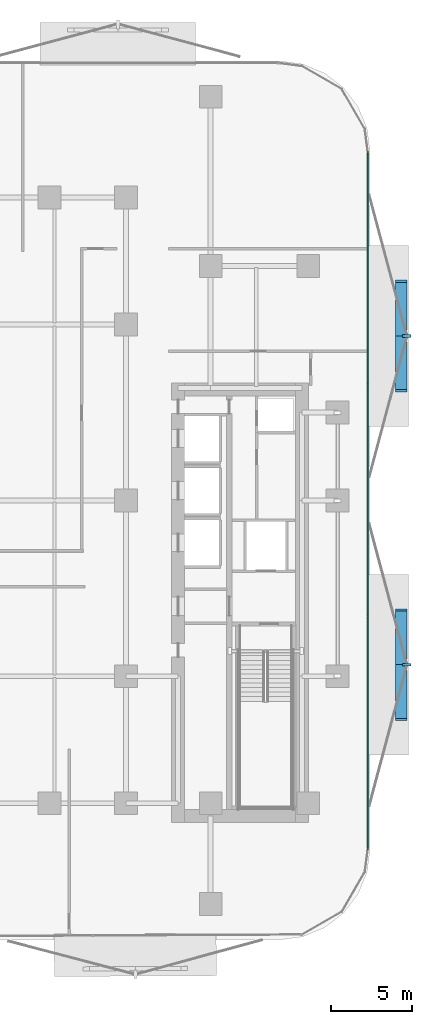
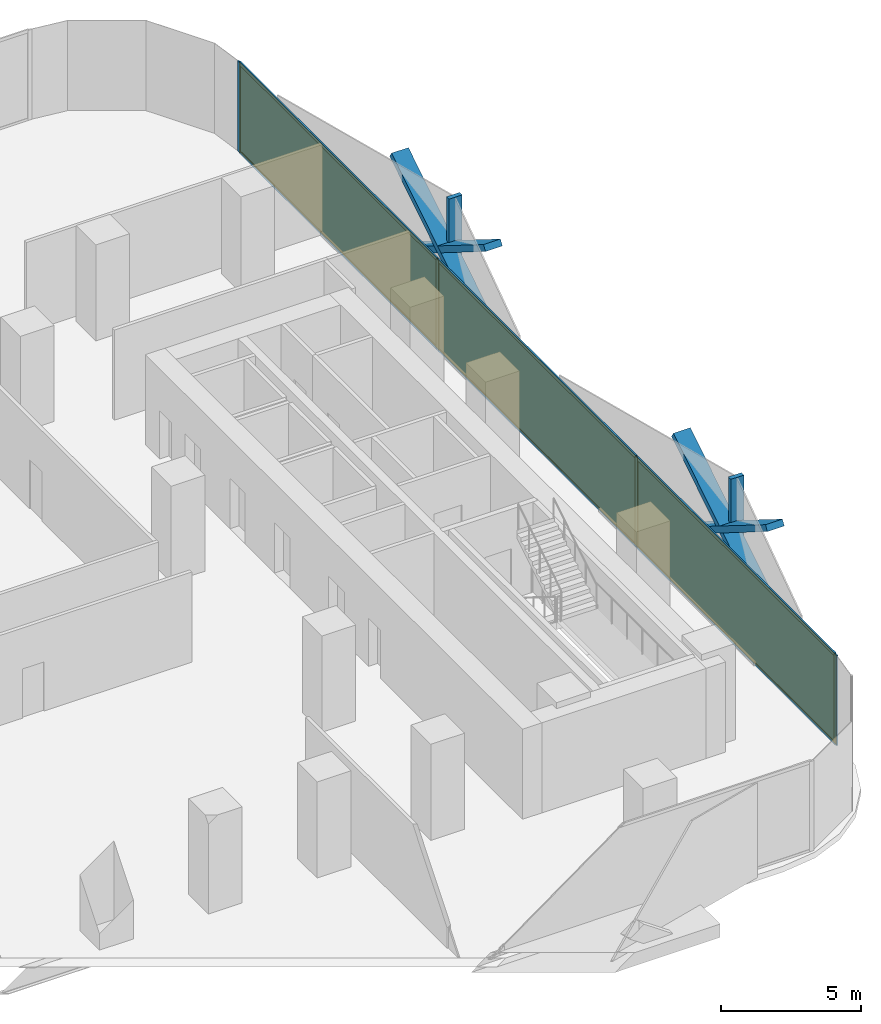
# One storey, part 9 of 15: 16 members, 3 plates, 1 curtain wall.
"""IFC4 building model written with IfcOpenShell, lengths in metres."""

from ifc_helpers import new_model, si_unit, direction, frame, frame_2d, origin, origin_2d, place, context, subcontext, project, spatial, rectangle, extrude, material, layer, layer_set, material_profile, profile_set, type_object, element, aggregate, save


model = new_model("IFC4")

# Units and contexts
model_context = context("Model", 3, precision=1e-05, world=origin(), true_north=direction((0.0, 1.0)))
body_context = subcontext(model_context, "Body", "Model", "MODEL_VIEW")
ifc_project = project(units=[si_unit("LENGTHUNIT", "METRE"), si_unit("AREAUNIT", "SQUARE_METRE"), si_unit("VOLUMEUNIT", "CUBIC_METRE"), si_unit("PLANEANGLEUNIT", "RADIAN"), si_unit("MASSUNIT", "GRAM", prefix="KILO")], contexts=[model_context])

# Member
ifc_material_1 = material(Name="Anodised Bronze Aluminium 6063-T6", Category="aluminium")
ifc_material_profile_1 = material_profile(ifc_material_1, rectangle(XDim=0.260009765625, YDim=0.699951171875, at=origin_2d()))
ifc_profile_set_1 = profile_set([ifc_material_profile_1], Name="Anodised Bronze Aluminium 6063-T6")
member_type_1 = type_object("IfcMemberType", Name="Bronze Diamond Solar-Screen Lattice Rib BDL-700", PredefinedType="MULLION", material=ifc_profile_set_1)
site_placement = place(None, origin())
building_placement = place(site_placement, origin())
storey_placement = place(building_placement, frame((0.0, 0.0, 30.199951171875)))
member_1_placement = place(storey_placement, frame((26.10009765625, 13.46044921875, -0.1298828125), z_axis=(0.0, -0.848362902952, 0.529415134744), x_axis=(0.0, -0.529415134744, -0.848362902952)))
member_1 = element("IfcMember", 1, at=member_1_placement, type_object=member_type_1, Name="L07 Bronze Diamond Solar Screen Lattice Rib 15A", PredefinedType="MULLION", context=body_context, shape_type="SweptSolid", body=[
    extrude(rectangle(XDim=0.260009765625, YDim=0.699951171875, at=origin_2d()), origin(), (0.0, 0.0, 1.0), 7.93310546875),
])

member_2_placement = place(storey_placement, frame((26.10009765625, 6.730224609375, -0.1298828125), z_axis=(0.0, 0.848362902952, 0.529415134744), x_axis=(0.0, 0.529415134744, -0.848362902952)))
member_2 = element("IfcMember", 2, at=member_2_placement, type_object=member_type_1, Name="L07 Bronze Diamond Solar Screen Lattice Rib 15B", PredefinedType="MULLION", context=body_context, shape_type="SweptSolid", body=[
    extrude(rectangle(XDim=0.260009765625, YDim=0.699951171875, at=origin_2d()), origin(), (0.0, 0.0, 1.0), 7.93310546875),
])

member_3_placement = place(storey_placement, frame((26.10009765625, -6.730224609375, -0.1298828125), z_axis=(0.0, -0.848362902952, 0.529415134744), x_axis=(0.0, -0.529415134744, -0.848362902952)))
member_3 = element("IfcMember", 3, at=member_3_placement, type_object=member_type_1, Name="L07 Bronze Diamond Solar Screen Lattice Rib 16A", PredefinedType="MULLION", context=body_context, shape_type="SweptSolid", body=[
    extrude(rectangle(XDim=0.260009765625, YDim=0.699951171875, at=origin_2d()), origin(), (0.0, 0.0, 1.0), 7.93310546875),
])

member_4_placement = place(storey_placement, frame((26.10009765625, -13.46044921875, -0.1298828125), z_axis=(0.0, 0.848362902952, 0.529415134744), x_axis=(0.0, 0.529415134744, -0.848362902952)))
member_4 = element("IfcMember", 4, at=member_4_placement, type_object=member_type_1, Name="L07 Bronze Diamond Solar Screen Lattice Rib 16B", PredefinedType="MULLION", context=body_context, shape_type="SweptSolid", body=[
    extrude(rectangle(XDim=0.260009765625, YDim=0.699951171875, at=origin_2d()), origin(), (0.0, 0.0, 1.0), 7.93310546875),
])

ifc_material_2 = material(Name="Anodised Bronze Aluminium 6063-T6", Category="aluminium")
ifc_material_profile_2 = material_profile(ifc_material_2, rectangle(XDim=0.179931640625, YDim=0.5400390625, at=origin_2d()))
ifc_profile_set_2 = profile_set([ifc_material_profile_2], Name="Anodised Bronze Aluminium 6063-T6")
member_type_2 = type_object("IfcMemberType", Name="Bronze Solar-Screen Vertical Fold Fin BSF-540", PredefinedType="MULLION", material=ifc_profile_set_2)
member_5_placement = place(storey_placement, frame((26.43994140625, 10.095458984375, -0.1298828125), z_axis=(0.0, 0.0, 1.0), x_axis=(0.0, -1.0, 0.0)))
member_5 = element("IfcMember", 5, at=member_5_placement, type_object=member_type_2, Name="L07 Bronze Solar Screen Vertical Fin 15", PredefinedType="MULLION", context=body_context, shape_type="SweptSolid", body=[
    extrude(rectangle(XDim=0.179931640625, YDim=0.5400390625, at=origin_2d()), origin(), (0.0, 0.0, 1.0), 4.199951171875),
])

member_6_placement = place(storey_placement, frame((26.43994140625, -10.095458984375, -0.1298828125), z_axis=(0.0, 0.0, 1.0), x_axis=(0.0, -1.0, 0.0)))
member_6 = element("IfcMember", 6, at=member_6_placement, type_object=member_type_2, Name="L07 Bronze Solar Screen Vertical Fin 16", PredefinedType="MULLION", context=body_context, shape_type="SweptSolid", body=[
    extrude(rectangle(XDim=0.179931640625, YDim=0.5400390625, at=origin_2d()), origin(), (0.0, 0.0, 1.0), 4.199951171875),
])

ifc_material_3 = material(Name="Anodised Bronze Aluminium 6063-T6", Category="aluminium")
ifc_material_profile_3 = material_profile(ifc_material_3, rectangle(XDim=0.06494140625, YDim=0.179931640625, at=origin_2d()))
ifc_profile_set_3 = profile_set([ifc_material_profile_3], Name="Anodised Bronze Aluminium 6063-T6")
member_type_3 = type_object("IfcMemberType", Name="CW-Z1 Mullion 65x180", PredefinedType="MULLION", material=ifc_profile_set_3)
member_7_placement = place(storey_placement, frame((24.06005859375, 21.3583984375, 0.0), z_axis=(0.0, 0.0, 1.0), x_axis=(1.0, 0.0, 0.0)))
member_7 = element("IfcMember", 7, at=member_7_placement, type_object=member_type_3, Name="CW-Z1 mullion 1", PredefinedType="MULLION", context=body_context, shape_type="SweptSolid", body=[
    extrude(rectangle(XDim=0.06494140625, YDim=0.179931640625, at=origin_2d()), origin(), (0.0, 0.0, 1.0), 3.93994140625),
])

member_8_placement = place(storey_placement, frame((24.06005859375, 7.13037109375, 0.0), z_axis=(0.0, 0.0, 1.0), x_axis=(1.0, 0.0, 0.0)))
member_8 = element("IfcMember", 8, at=member_8_placement, type_object=member_type_3, Name="CW-Z1 mullion 2", PredefinedType="MULLION", context=body_context, shape_type="SweptSolid", body=[
    extrude(rectangle(XDim=0.06494140625, YDim=0.179931640625, at=origin_2d()), origin(), (0.0, 0.0, 1.0), 3.93994140625),
])

member_9_placement = place(storey_placement, frame((24.06005859375, -7.13037109375, 0.0), z_axis=(0.0, 0.0, 1.0), x_axis=(1.0, 0.0, 0.0)))
member_9 = element("IfcMember", 9, at=member_9_placement, type_object=member_type_3, Name="CW-Z1 mullion 3", PredefinedType="MULLION", context=body_context, shape_type="SweptSolid", body=[
    extrude(rectangle(XDim=0.06494140625, YDim=0.179931640625, at=origin_2d()), origin(), (0.0, 0.0, 1.0), 3.93994140625),
])

member_10_placement = place(storey_placement, frame((24.06005859375, -21.3583984375, 0.0), z_axis=(0.0, 0.0, 1.0), x_axis=(1.0, 0.0, 0.0)))
member_10 = element("IfcMember", 10, at=member_10_placement, type_object=member_type_3, Name="CW-Z1 mullion 4", PredefinedType="MULLION", context=body_context, shape_type="SweptSolid", body=[
    extrude(rectangle(XDim=0.06494140625, YDim=0.179931640625, at=origin_2d()), origin(), (0.0, 0.0, 1.0), 3.93994140625),
])

ifc_material_4 = material(Name="Anodised Bronze Aluminium 6063-T6", Category="aluminium")
ifc_material_profile_4 = material_profile(ifc_material_4, rectangle(XDim=0.06494140625, YDim=0.139892578125, at=origin_2d()))
ifc_profile_set_4 = profile_set([ifc_material_profile_4], Name="Anodised Bronze Aluminium 6063-T6")
member_type_4 = type_object("IfcMemberType", Name="CW-Z1 Transom 65x140", PredefinedType="USERDEFINED", material=ifc_profile_set_4)
member_11_placement = place(storey_placement, frame((24.06005859375, 21.32568359375, 0.032470703125), z_axis=(0.0, -1.0, 0.0), x_axis=(1.0, 0.0, 0.0)))
member_11 = element("IfcMember", 11, at=member_11_placement, type_object=member_type_4, Name="CW-Z1 transom 1.1", ObjectType="TRANSOM", PredefinedType="USERDEFINED", context=body_context, shape_type="SweptSolid", body=[
    extrude(rectangle(XDim=0.06494140625, YDim=0.139892578125, at=origin_2d()), origin(), (0.0, 0.0, 1.0), 14.162841796875),
])

member_12_placement = place(storey_placement, frame((24.06005859375, 21.32568359375, 3.907470703125), z_axis=(0.0, -1.0, 0.0), x_axis=(1.0, 0.0, 0.0)))
member_12 = element("IfcMember", 12, at=member_12_placement, type_object=member_type_4, Name="CW-Z1 transom 1.2", ObjectType="TRANSOM", PredefinedType="USERDEFINED", context=body_context, shape_type="SweptSolid", body=[
    extrude(rectangle(XDim=0.06494140625, YDim=0.139892578125, at=origin_2d()), origin(), (0.0, 0.0, 1.0), 14.162841796875),
])

member_13_placement = place(storey_placement, frame((24.06005859375, 7.09765625, 0.032470703125), z_axis=(0.0, -1.0, 0.0), x_axis=(1.0, 0.0, 0.0)))
member_13 = element("IfcMember", 13, at=member_13_placement, type_object=member_type_4, Name="CW-Z1 transom 2.1", ObjectType="TRANSOM", PredefinedType="USERDEFINED", context=body_context, shape_type="SweptSolid", body=[
    extrude(rectangle(XDim=0.06494140625, YDim=0.139892578125, at=origin_2d()), origin(), (0.0, 0.0, 1.0), 14.1953125),
])

member_14_placement = place(storey_placement, frame((24.06005859375, 7.09765625, 3.907470703125), z_axis=(0.0, -1.0, 0.0), x_axis=(1.0, 0.0, 0.0)))
member_14 = element("IfcMember", 14, at=member_14_placement, type_object=member_type_4, Name="CW-Z1 transom 2.2", ObjectType="TRANSOM", PredefinedType="USERDEFINED", context=body_context, shape_type="SweptSolid", body=[
    extrude(rectangle(XDim=0.06494140625, YDim=0.139892578125, at=origin_2d()), origin(), (0.0, 0.0, 1.0), 14.1953125),
])

member_15_placement = place(storey_placement, frame((24.06005859375, -7.162841796875, 0.032470703125), z_axis=(0.0, -1.0, 0.0), x_axis=(1.0, 0.0, 0.0)))
member_15 = element("IfcMember", 15, at=member_15_placement, type_object=member_type_4, Name="CW-Z1 transom 3.1", ObjectType="TRANSOM", PredefinedType="USERDEFINED", context=body_context, shape_type="SweptSolid", body=[
    extrude(rectangle(XDim=0.06494140625, YDim=0.139892578125, at=origin_2d()), origin(), (0.0, 0.0, 1.0), 14.162841796875),
])

member_16_placement = place(storey_placement, frame((24.06005859375, -7.162841796875, 3.907470703125), z_axis=(0.0, -1.0, 0.0), x_axis=(1.0, 0.0, 0.0)))
member_16 = element("IfcMember", 16, at=member_16_placement, type_object=member_type_4, Name="CW-Z1 transom 3.2", ObjectType="TRANSOM", PredefinedType="USERDEFINED", context=body_context, shape_type="SweptSolid", body=[
    extrude(rectangle(XDim=0.06494140625, YDim=0.139892578125, at=origin_2d()), origin(), (0.0, 0.0, 1.0), 14.162841796875),
])

# Plate
ifc_material_5 = material(Name="Low-E Solar Control Laminated Glass", Category="glass")
ifc_layer_1 = layer(ifc_material_5, 0.028076171875, Name="Low-E Solar Control Laminated Glass")
ifc_layer_set_1 = layer_set([ifc_layer_1], Name="Low-E Solar Control Laminated Glass")
plate_type = type_object("IfcPlateType", Name="CW-Z1 Low-E Double Glazed Panel 28mm", PredefinedType="CURTAIN_PANEL", material=ifc_layer_set_1)
plate_1_placement = place(storey_placement, frame((24.06005859375, 14.244384765625, 0.06494140625), z_axis=(0.0, 0.0, 1.0), x_axis=(0.0, -1.0, 0.0)))
plate_1 = element("IfcPlate", 17, at=plate_1_placement, type_object=plate_type, Name="CW-Z1 panel 1.1", PredefinedType="CURTAIN_PANEL", context=body_context, shape_type="SweptSolid", body=[
    extrude(rectangle(XDim=14.1630859375, YDim=0.028076171875, at=origin_2d()), origin(), (0.0, 0.0, 1.0), 3.81005859375),
])

plate_2_placement = place(storey_placement, frame((24.06005859375, 0.0, 0.06494140625), z_axis=(0.0, 0.0, 1.0), x_axis=(0.0, -1.0, 0.0)))
plate_2 = element("IfcPlate", 18, at=plate_2_placement, type_object=plate_type, Name="CW-Z1 panel 2.1", PredefinedType="CURTAIN_PANEL", context=body_context, shape_type="SweptSolid", body=[
    extrude(rectangle(XDim=14.195556640625, YDim=0.028076171875, at=origin_2d()), origin(), (0.0, 0.0, 1.0), 3.81005859375),
])

plate_3_placement = place(storey_placement, frame((24.06005859375, -14.244384765625, 0.06494140625), z_axis=(0.0, 0.0, 1.0), x_axis=(0.0, -1.0, 0.0)))
plate_3 = element("IfcPlate", 19, at=plate_3_placement, type_object=plate_type, Name="CW-Z1 panel 3.1", PredefinedType="CURTAIN_PANEL", context=body_context, shape_type="SweptSolid", body=[
    extrude(rectangle(XDim=14.1630859375, YDim=0.028076171875, at=origin_2d()), origin(), (0.0, 0.0, 1.0), 3.81005859375),
])

# Site, building, storey
site = spatial("IfcSite", under=ifc_project, at=site_placement, CompositionType="ELEMENT")
building = spatial("IfcBuilding", under=site, at=building_placement, Name="Khairoan Windgate Tower", CompositionType="ELEMENT")
storey = spatial("IfcBuildingStorey", under=building, at=storey_placement, Name="L07", CompositionType="ELEMENT", Elevation=30.199951171875)

# Curtain wall
ifc_material_6 = material(Name="Anodised Bronze Aluminium 6063-T6", Category="aluminium")
ifc_layer_2 = layer(ifc_material_6, 0.179931640625, Name="Anodised Bronze Aluminium 6063-T6")
ifc_layer_set_2 = layer_set([ifc_layer_2], Name="Anodised Bronze Aluminium 6063-T6")
curtain_wall_type = type_object("IfcCurtainWallType", Name="Low-Rise Office Unitised Curtain Wall CW-Z1", PredefinedType="NOTDEFINED", material=ifc_layer_set_2)
curtain_wall_placement = place(storey_placement, frame((24.06005859375, 21.390869140625, 0.0), z_axis=(0.0, 0.0, 1.0), x_axis=(0.0, -1.0, 0.0)))
curtain_wall = element("IfcCurtainWall", 20, at=curtain_wall_placement, inside=storey, type_object=curtain_wall_type, Name="L07 Unitised Curtain Wall 16", PredefinedType="NOTDEFINED", context=body_context, shape_type="SweptSolid", body=[
    extrude(rectangle(XDim=42.78173828125, YDim=0.010009765625, at=frame_2d((21.390869140625, 0.0))), origin(), (0.0, 0.0, 1.0), 3.93994140625),
])

aggregate(curtain_wall, [member_7, member_8, member_9, member_10, member_11, member_12, plate_1, member_13, member_14, plate_2, member_15, member_16, plate_3, member_1, member_2, member_5, member_3, member_4, member_6])

save(model, "model.ifc")
